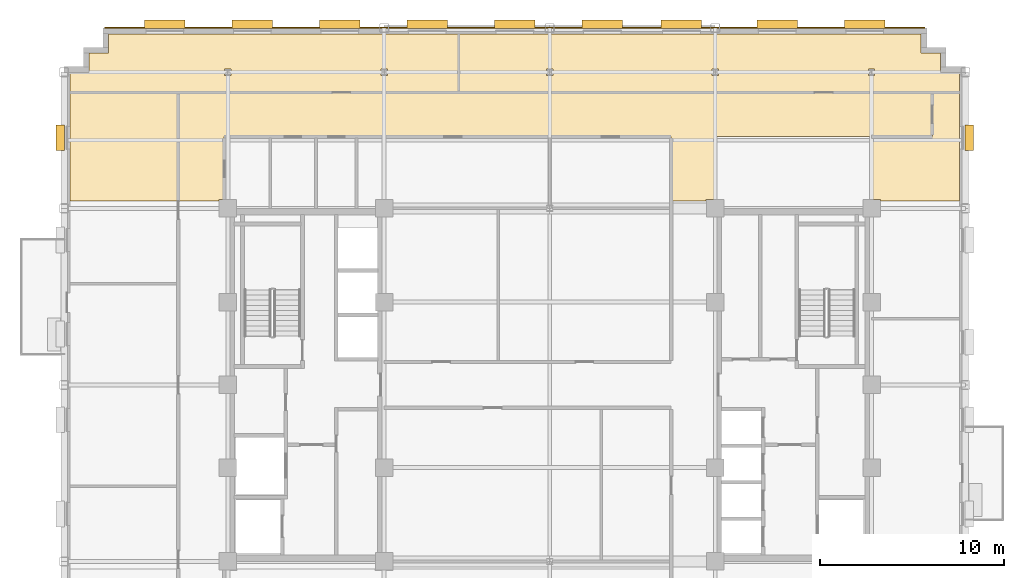
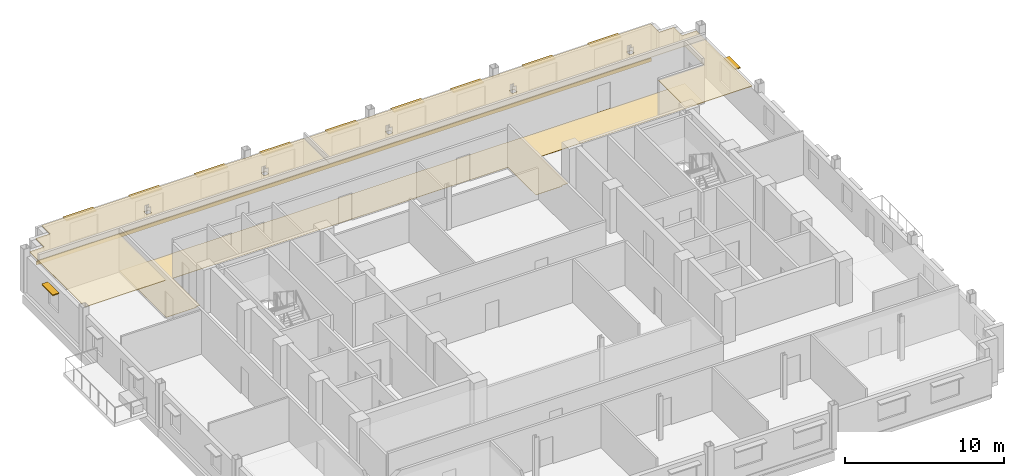
# One storey, part 15 of 15: 11 shading devices, 6 coverings.
"""IFC4 building model written with IfcOpenShell, lengths in metres."""

from ifc_helpers import new_model, si_unit, direction, frame, origin, origin_2d, place, context, subcontext, project, spatial, polyline, rectangle, outline, extrude, source, transform, mapped, material, layer, layer_set, type_object, type_shapes, element, save


model = new_model("IFC4")

# Units and contexts
model_context = context("Model", 3, precision=1e-05, world=origin(), true_north=direction((0.0, 1.0)))
body_context = subcontext(model_context, "Body", "Model", "MODEL_VIEW")
ifc_project = project(units=[si_unit("LENGTHUNIT", "METRE"), si_unit("AREAUNIT", "SQUARE_METRE"), si_unit("VOLUMEUNIT", "CUBIC_METRE"), si_unit("PLANEANGLEUNIT", "RADIAN"), si_unit("MASSUNIT", "GRAM", prefix="KILO")], contexts=[model_context])

# Site, building, storey
site_placement = place(None, origin())
site = spatial("IfcSite", under=ifc_project, at=site_placement, CompositionType="ELEMENT")
building_placement = place(site_placement, origin())
building = spatial("IfcBuilding", under=site, at=building_placement, Name="Nuvemarco Arch Tower", CompositionType="ELEMENT")
storey_placement = place(building_placement, frame((0.0, 0.0, 198.199951171875)))
storey = spatial("IfcBuildingStorey", under=building, at=storey_placement, Name="L52", CompositionType="ELEMENT", Elevation=198.199951171875)

# Coverings
ifc_material_1 = material(Name="Mineral acoustic ceiling tile")
ifc_layer_1 = layer(ifc_material_1, 0.0400390625, Name="COV-ACOUSTIC-CLG")
ifc_layer_set_1 = layer_set([ifc_layer_1], Name="Mineral acoustic ceiling tile")
covering_type_1 = type_object("IfcCoveringType", Name="COV-ACOUSTIC-CLG", PredefinedType="CEILING", material=ifc_layer_set_1)
covering_1_placement = place(storey_placement, frame((0.0, 0.0, 2.85009765625)))
element("IfcCovering", 1, at=covering_1_placement, inside=storey, type_object=covering_type_1, Name="L52 suspended acoustic ceiling 3", PredefinedType="CEILING", context=body_context, shape_type="SweptSolid", body=[
    extrude(outline(polyline([(22.2900390625, 16.989990234375), (22.2900390625, 15.89990234375), (20.800048828125, 15.89990234375), (9.0, 15.89990234375), (6.60009765625, 15.89990234375), (-4.93994140625, 15.89990234375), (-4.93994140625, 19.090087890625), (20.18994140625, 19.090087890625), (20.18994140625, 18.0400390625), (21.239990234375, 18.0400390625), (21.239990234375, 16.989990234375), (22.2900390625, 16.989990234375)]), holes=[polyline([(0.169921875, 16.830078125), (0.169921875, 17.169921875), (-0.169921875, 17.169921875), (-0.169921875, 16.830078125), (0.169921875, 16.830078125)]), polyline([(9.169921875, 17.169921875), (8.830078125, 17.169921875), (8.830078125, 16.830078125), (9.169921875, 16.830078125), (9.169921875, 17.169921875)]), polyline([(17.669921875, 16.830078125), (17.669921875, 17.169921875), (17.330078125, 17.169921875), (17.330078125, 16.830078125), (17.669921875, 16.830078125)])]), origin(), (0.0, 0.0, 1.0), 0.0400390625),
])
covering_2_placement = place(storey_placement, frame((0.0, 0.0, 2.85009765625)))
element("IfcCovering", 2, at=covering_2_placement, inside=storey, type_object=covering_type_1, Name="L52 suspended acoustic ceiling 5", PredefinedType="CEILING", context=body_context, shape_type="SweptSolid", body=[
    extrude(outline(polyline([(-25.0400390625, 16.989990234375), (-25.0400390625, 18.0400390625), (-23.989990234375, 18.0400390625), (-23.989990234375, 19.090087890625), (-4.93994140625, 19.090087890625), (-4.93994140625, 15.89990234375), (-17.699951171875, 15.89990234375), (-20.199951171875, 15.89990234375), (-26.090087890625, 15.89990234375), (-26.090087890625, 16.989990234375), (-25.0400390625, 16.989990234375)]), holes=[polyline([(-17.330078125, 16.830078125), (-17.330078125, 17.169921875), (-17.669921875, 17.169921875), (-17.669921875, 16.830078125), (-17.330078125, 16.830078125)]), polyline([(-8.830078125, 16.830078125), (-8.830078125, 17.169921875), (-9.169921875, 17.169921875), (-9.169921875, 16.830078125), (-8.830078125, 16.830078125)])]), origin(), (0.0, 0.0, 1.0), 0.0400390625),
])
covering_3_placement = place(storey_placement, frame((0.0, 0.0, 2.85009765625)))
element("IfcCovering", 3, at=covering_3_placement, inside=storey, type_object=covering_type_1, Name="L52 suspended acoustic ceiling 7", PredefinedType="CEILING", context=body_context, shape_type="SweptSolid", body=[
    extrude(outline(polyline([(-20.199951171875, 10.0), (-26.090087890625, 10.0), (-26.090087890625, 15.89990234375), (-20.199951171875, 15.89990234375), (-20.199951171875, 13.5), (-20.199951171875, 10.0)])), origin(), (0.0, 0.0, 1.0), 0.0400390625),
])
covering_4_placement = place(storey_placement, frame((0.0, 0.0, 2.85009765625)))
element("IfcCovering", 4, at=covering_4_placement, inside=storey, type_object=covering_type_1, Name="L52 suspended acoustic ceiling 9", PredefinedType="CEILING", context=body_context, shape_type="SweptSolid", body=[
    extrude(outline(polyline([(17.989990234375, 10.090087890625), (17.5, 10.090087890625), (17.5, 13.5), (20.800048828125, 13.5), (20.800048828125, 15.89990234375), (22.2900390625, 15.89990234375), (22.2900390625, 10.0), (17.989990234375, 10.0), (17.989990234375, 10.090087890625)])), origin(), (0.0, 0.0, 1.0), 0.0400390625),
])
ifc_material_2 = material(Name="Polished granite terrazzostone flooring", Category="masonry")
ifc_layer_2 = layer(ifc_material_2, 0.02001953125, Name="COV-LOBBY-FLR")
ifc_layer_set_2 = layer_set([ifc_layer_2], Name="Polished granite terrazzostone flooring")
covering_type_2 = type_object("IfcCoveringType", Name="COV-LOBBY-FLR", PredefinedType="FLOORING", material=ifc_layer_set_2)
covering_5_placement = place(storey_placement, origin())
element("IfcCovering", 5, at=covering_5_placement, inside=storey, type_object=covering_type_2, Name="L52 polished terrazzo lobby flooring", PredefinedType="FLOORING", context=body_context, shape_type="SweptSolid", body=[
    extrude(outline(polyline([(-20.199951171875, 13.5), (-20.199951171875, 15.89990234375), (-17.699951171875, 15.89990234375), (6.60009765625, 15.89990234375), (9.0, 15.89990234375), (20.800048828125, 15.89990234375), (20.800048828125, 13.5), (9.0, 13.5), (9.0, 10.090087890625), (8.510009765625, 10.090087890625), (8.510009765625, 10.0), (6.60009765625, 10.0), (6.60009765625, 13.5), (-17.699951171875, 13.5), (-17.699951171875, 10.090087890625), (-17.989990234375, 10.090087890625), (-17.989990234375, 10.0), (-20.199951171875, 10.0), (-20.199951171875, 13.5)])), origin(), (0.0, 0.0, 1.0), 0.02001953125),
])

# Shading devices
ifc_material_3 = material(Name="Anodised aluminium 6063-T6", Category="aluminium")
shading_device_type_1 = type_object("IfcShadingDeviceType", Name="SHD-BRISE-SOLEIL", PredefinedType="USERDEFINED", material=ifc_material_3)
shared_shape_1 = source(origin(), body_context, "Body", "SweptSolid", [
    extrude(rectangle(XDim=2.199951171875, YDim=0.449951171875, at=origin_2d()), origin(), (0.0, 0.0, 1.0), 0.080078125),
])
type_shapes(shading_device_type_1, [shared_shape_1])
for number, where, z_axis, x_axis, name in (
    (6, (-20.922119140625, 19.614990234375, 2.324951171875), (0.0, 0.0, 1.0), (1.0, 0.0, 0.0), "L52 horizontal brise-soleil sunshade"),
    (7, (-16.166748046875, 19.614990234375, 2.324951171875), (0.0, 0.0, 1.0), (1.0, 0.0, 0.0), "L52 horizontal brise-soleil sunshade"),
    (8, (-11.4111328125, 19.614990234375, 2.324951171875), (0.0, 0.0, 1.0), (1.0, 0.0, 0.0), "L52 horizontal brise-soleil sunshade"),
    (9, (-6.655517578125, 19.614990234375, 2.324951171875), (0.0, 0.0, 1.0), (1.0, 0.0, 0.0), "L52 horizontal brise-soleil sunshade"),
    (10, (-1.89990234375, 19.614990234375, 2.324951171875), (0.0, 0.0, 1.0), (1.0, 0.0, 0.0), "L52 horizontal brise-soleil sunshade"),
    (11, (2.855712890625, 19.614990234375, 2.324951171875), (0.0, 0.0, 1.0), (1.0, 0.0, 0.0), "L52 horizontal brise-soleil sunshade"),
    (12, (7.1611328125, 19.614990234375, 2.324951171875), (0.0, 0.0, 1.0), (1.0, 0.0, 0.0), "L52 horizontal brise-soleil sunshade"),
    (13, (12.36669921875, 19.614990234375, 2.324951171875), (0.0, 0.0, 1.0), (1.0, 0.0, 0.0), "L52 horizontal brise-soleil sunshade"),
    (14, (17.122314453125, 19.614990234375, 2.324951171875), (0.0, 0.0, 1.0), (1.0, 0.0, 0.0), "L52 horizontal brise-soleil sunshade"),
):
    element("IfcShadingDevice", number, at=place(storey_placement, frame(where, z_axis=z_axis, x_axis=x_axis)), inside=storey, type_object=shading_device_type_1, Name=name, ObjectType="SUNSHADE", PredefinedType="USERDEFINED", context=body_context, shape_type="MappedRepresentation", body=[
        mapped(shared_shape_1, transform((0.0, 0.0, 0.0), scale=1.0)),
    ])
shading_device_type_2 = type_object("IfcShadingDeviceType", Name="SHD-BRISE-NARROW", PredefinedType="USERDEFINED", material=ifc_material_3)
shared_shape_2 = source(origin(), body_context, "Body", "SweptSolid", [
    extrude(rectangle(XDim=1.39990234375, YDim=0.449951171875, at=origin_2d()), origin(), (0.0, 0.0, 1.0), 0.080078125),
])
type_shapes(shading_device_type_2, [shared_shape_2])
for number, where, z_axis, x_axis, name in (
    (15, (22.81494140625, 13.437744140625, 2.324951171875), (0.0, 0.0, 1.0), (0.0, 1.0, 0.0), "L52 horizontal brise-soleil sunshade"),
    (16, (-26.614990234375, 13.437744140625, 2.324951171875), (0.0, 0.0, 1.0), (0.0, 1.0, 0.0), "L52 horizontal brise-soleil sunshade"),
):
    element("IfcShadingDevice", number, at=place(storey_placement, frame(where, z_axis=z_axis, x_axis=x_axis)), inside=storey, type_object=shading_device_type_2, Name=name, ObjectType="SUNSHADE", PredefinedType="USERDEFINED", context=body_context, shape_type="MappedRepresentation", body=[
        mapped(shared_shape_2, transform((0.0, 0.0, 0.0), scale=1.0)),
    ])

# Covering
ifc_material_4 = material(Name="Precast concrete C45/55", Category="concrete")
ifc_layer_3 = layer(ifc_material_4, 0.06005859375, Name="COV-SPANDREL-CLAD")
ifc_layer_set_3 = layer_set([ifc_layer_3], Name="Precast concrete C45/55")
covering_type_3 = type_object("IfcCoveringType", Name="COV-SPANDREL-CLAD", PredefinedType="CLADDING", material=ifc_layer_set_3)
shared_shape_3 = source(origin(), body_context, "Body", "SweptSolid", [
    extrude(rectangle(XDim=44.60009765625, YDim=0.06005859375, at=origin_2d()), origin(), (0.0, 0.0, 1.0), 0.280029296875),
])
type_shapes(covering_type_3, [shared_shape_3])
covering_6_placement = place(storey_placement, frame((-1.89990234375, 19.428955078125, -0.27978515625), z_axis=(0.0, 0.0, 1.0), x_axis=(1.0, 0.0, 0.0)))
element("IfcCovering", 17, at=covering_6_placement, inside=storey, type_object=covering_type_3, Name="L52 precast spandrel edge cladding north", PredefinedType="CLADDING", context=body_context, shape_type="MappedRepresentation", body=[
    mapped(shared_shape_3, transform((0.0, 0.0, 0.0), scale=1.0)),
])

save(model, "model.ifc")
